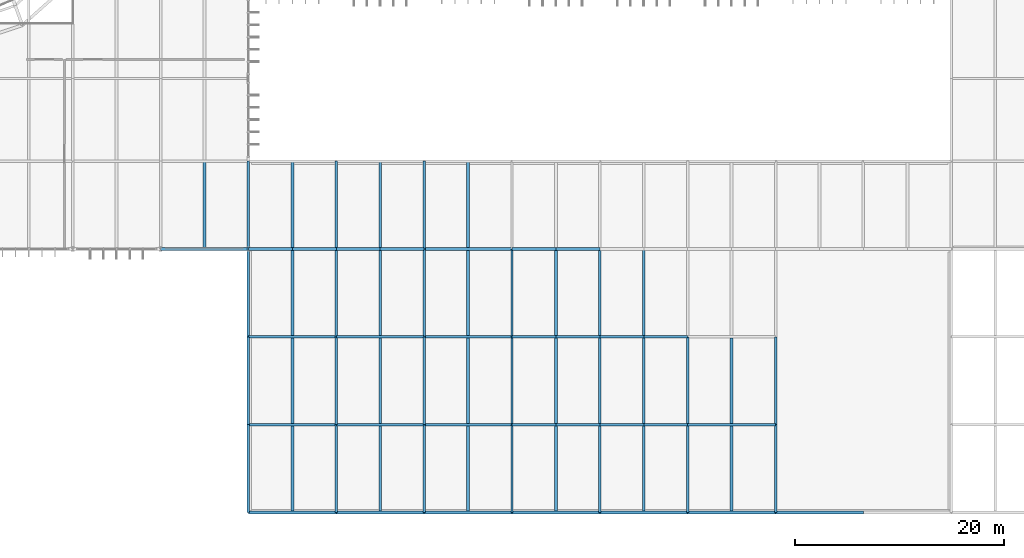
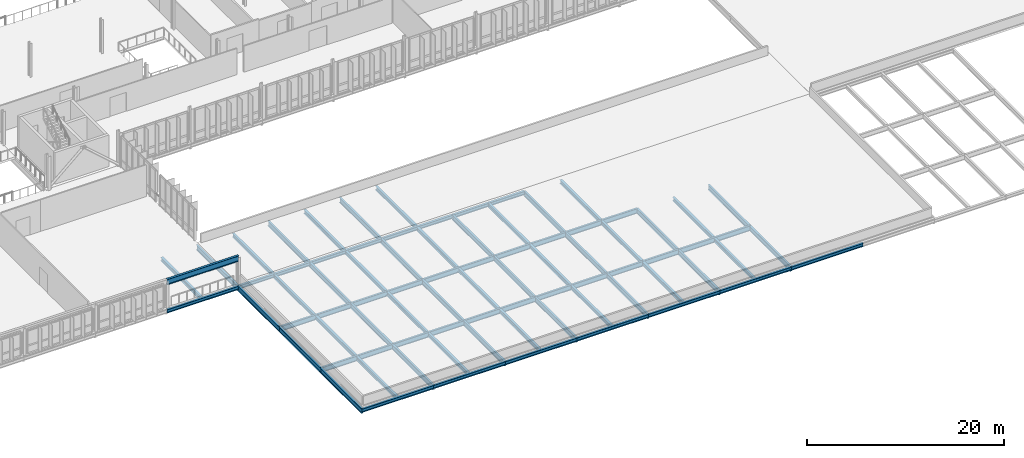
# One storey, part 26 of 107: 74 beams.
"""IFC4 building model written with IfcOpenShell, lengths in metres."""

from ifc_helpers import new_model, si_unit, derived_unit, direction, frame, origin, origin_2d, place, context, subcontext, project, spatial, i_section, extrude, material, material_profile, profile_set, type_object, element, save


model = new_model("IFC4")

# Units and contexts
model_context = context("Model", 3, precision=1e-05, world=origin(), true_north=direction((0.0, 1.0)))
body_context = subcontext(model_context, "Body", "Model", "MODEL_VIEW")
ifc_project = project(units=[si_unit("LENGTHUNIT", "METRE"), si_unit("AREAUNIT", "SQUARE_METRE"), si_unit("VOLUMEUNIT", "CUBIC_METRE"), si_unit("PLANEANGLEUNIT", "RADIAN"), si_unit("MASSUNIT", "GRAM", prefix="KILO"), derived_unit("THERMALTRANSMITTANCEUNIT", [(si_unit("MASSUNIT", "GRAM", prefix="KILO"), 1), (si_unit("TIMEUNIT", "SECOND"), -3), (si_unit("THERMODYNAMICTEMPERATUREUNIT", "KELVIN"), -1)])], contexts=[model_context])

# Site, building, storey
site_placement = place(None, origin())
site = spatial("IfcSite", under=ifc_project, at=site_placement, CompositionType="ELEMENT")
building_placement = place(site_placement, origin())
building = spatial("IfcBuilding", under=site, at=building_placement, Name="Makaiwela Harbour Ferry Terminal", CompositionType="ELEMENT")
storey_placement = place(building_placement, frame((0.0, 0.0, 9.60009765625)))
storey = spatial("IfcBuildingStorey", under=building, at=storey_placement, Name="L02", CompositionType="ELEMENT", Elevation=9.60009765625)

# Beams
ifc_material = material(Name="Steel ASTM A992 Grade 50", Category="steel")
ifc_material_profile_1 = material_profile(ifc_material, i_section(OverallWidth=0.280029296875, OverallDepth=0.462890625, WebThickness=0.0107421875, FlangeThickness=0.017333984375, at=origin_2d()), Name="W18X76")
ifc_profile_set_1 = profile_set([ifc_material_profile_1], Name="Steel ASTM A992 Grade 50")
beam_type_1 = type_object("IfcBeamType", Name="STR-BM-W18X76", PredefinedType="BEAM", material=ifc_profile_set_1)
for number, where, z_axis, x_axis, name in (
    (1, (67.199951171875, 25.314453125, -0.49169921875), (0.0, 1.0, 0.0), (-1.0, 0.0, 0.0), "Secondary floor beam 1467"),
    (2, (75.60009765625, 0.114501953125, -0.4716796875), (0.0, 1.0, 0.0), (-1.0, 0.0, 0.0), "Secondary floor beam 1472"),
):
    element("IfcBeam", number, at=place(storey_placement, frame(where, z_axis=z_axis, x_axis=x_axis)), inside=storey, type_object=beam_type_1, Name=name, PredefinedType="BEAM", context=body_context, shape_type="SweptSolid", body=[
        extrude(i_section(OverallWidth=0.280029296875, OverallDepth=0.462890625, WebThickness=0.0107421875, FlangeThickness=0.017333984375, at=origin_2d()), origin(), (0.0, 0.0, 1.0), 8.18896484375),
    ])
beam_1_placement = place(storey_placement, frame((75.60009765625, 8.49658203125, -0.4716796875), z_axis=(0.0, 1.0, 0.0), x_axis=(-1.0, 0.0, 0.0)))
element("IfcBeam", 3, at=beam_1_placement, inside=storey, type_object=beam_type_1, Name="Secondary floor beam 1473", PredefinedType="BEAM", context=body_context, shape_type="SweptSolid", body=[
    extrude(i_section(OverallWidth=0.280029296875, OverallDepth=0.462890625, WebThickness=0.0107421875, FlangeThickness=0.017333984375, at=origin_2d()), origin(), (0.0, 0.0, 1.0), 8.20703125),
])
for number, where, z_axis, x_axis, name in (
    (4, (75.60009765625, 16.896484375, -0.4716796875), (0.0, 1.0, 0.0), (-1.0, 0.0, 0.0), "Secondary floor beam 1474"),
    (5, (75.60009765625, 25.314453125, -0.4716796875), (0.0, 1.0, 0.0), (-1.0, 0.0, 0.0), "Secondary floor beam 1475"),
    (6, (84.0, 0.114501953125, -0.4716796875), (0.0, 1.0, 0.0), (-1.0, 0.0, 0.0), "Secondary floor beam 1479"),
):
    element("IfcBeam", number, at=place(storey_placement, frame(where, z_axis=z_axis, x_axis=x_axis)), inside=storey, type_object=beam_type_1, Name=name, PredefinedType="BEAM", context=body_context, shape_type="SweptSolid", body=[
        extrude(i_section(OverallWidth=0.280029296875, OverallDepth=0.462890625, WebThickness=0.0107421875, FlangeThickness=0.017333984375, at=origin_2d()), origin(), (0.0, 0.0, 1.0), 8.18896484375),
    ])
beam_2_placement = place(storey_placement, frame((84.0, 8.49658203125, -0.4716796875), z_axis=(0.0, 1.0, 0.0), x_axis=(-1.0, 0.0, 0.0)))
element("IfcBeam", 7, at=beam_2_placement, inside=storey, type_object=beam_type_1, Name="Secondary floor beam 1480", PredefinedType="BEAM", context=body_context, shape_type="SweptSolid", body=[
    extrude(i_section(OverallWidth=0.280029296875, OverallDepth=0.462890625, WebThickness=0.0107421875, FlangeThickness=0.017333984375, at=origin_2d()), origin(), (0.0, 0.0, 1.0), 8.20703125),
])
for number, where, z_axis, x_axis, name in (
    (8, (84.0, 16.896484375, -0.4716796875), (0.0, 1.0, 0.0), (-1.0, 0.0, 0.0), "Secondary floor beam 1481"),
    (9, (84.0, 25.314453125, -0.4716796875), (0.0, 1.0, 0.0), (-1.0, 0.0, 0.0), "Secondary floor beam 1482"),
    (10, (92.39990234375, 0.114501953125, -0.4716796875), (0.0, 1.0, 0.0), (-1.0, 0.0, 0.0), "Secondary floor beam 1485"),
):
    element("IfcBeam", number, at=place(storey_placement, frame(where, z_axis=z_axis, x_axis=x_axis)), inside=storey, type_object=beam_type_1, Name=name, PredefinedType="BEAM", context=body_context, shape_type="SweptSolid", body=[
        extrude(i_section(OverallWidth=0.280029296875, OverallDepth=0.462890625, WebThickness=0.0107421875, FlangeThickness=0.017333984375, at=origin_2d()), origin(), (0.0, 0.0, 1.0), 8.18896484375),
    ])
beam_3_placement = place(storey_placement, frame((92.39990234375, 8.49658203125, -0.4716796875), z_axis=(0.0, 1.0, 0.0), x_axis=(-1.0, 0.0, 0.0)))
element("IfcBeam", 11, at=beam_3_placement, inside=storey, type_object=beam_type_1, Name="Secondary floor beam 1486", PredefinedType="BEAM", context=body_context, shape_type="SweptSolid", body=[
    extrude(i_section(OverallWidth=0.280029296875, OverallDepth=0.462890625, WebThickness=0.0107421875, FlangeThickness=0.017333984375, at=origin_2d()), origin(), (0.0, 0.0, 1.0), 8.20703125),
])
for number, where, z_axis, x_axis, name in (
    (12, (92.39990234375, 16.896484375, -0.4716796875), (0.0, 1.0, 0.0), (-1.0, 0.0, 0.0), "Secondary floor beam 1487"),
    (13, (92.39990234375, 25.314453125, -0.4716796875), (0.0, 1.0, 0.0), (-1.0, 0.0, 0.0), "Secondary floor beam 1488"),
    (14, (100.800048828125, 0.114501953125, -0.4716796875), (0.0, 1.0, 0.0), (-1.0, 0.0, 0.0), "Secondary floor beam 1492"),
):
    element("IfcBeam", number, at=place(storey_placement, frame(where, z_axis=z_axis, x_axis=x_axis)), inside=storey, type_object=beam_type_1, Name=name, PredefinedType="BEAM", context=body_context, shape_type="SweptSolid", body=[
        extrude(i_section(OverallWidth=0.280029296875, OverallDepth=0.462890625, WebThickness=0.0107421875, FlangeThickness=0.017333984375, at=origin_2d()), origin(), (0.0, 0.0, 1.0), 8.18896484375),
    ])
beam_4_placement = place(storey_placement, frame((100.800048828125, 8.49658203125, -0.4716796875), z_axis=(0.0, 1.0, 0.0), x_axis=(-1.0, 0.0, 0.0)))
element("IfcBeam", 15, at=beam_4_placement, inside=storey, type_object=beam_type_1, Name="Secondary floor beam 1493", PredefinedType="BEAM", context=body_context, shape_type="SweptSolid", body=[
    extrude(i_section(OverallWidth=0.280029296875, OverallDepth=0.462890625, WebThickness=0.0107421875, FlangeThickness=0.017333984375, at=origin_2d()), origin(), (0.0, 0.0, 1.0), 8.20703125),
])
for number, where, z_axis, x_axis, name in (
    (16, (100.800048828125, 16.896484375, -0.4716796875), (0.0, 1.0, 0.0), (-1.0, 0.0, 0.0), "Secondary floor beam 1494"),
    (17, (109.199951171875, 0.114501953125, -0.4716796875), (0.0, 1.0, 0.0), (-1.0, 0.0, 0.0), "Secondary floor beam 1499"),
):
    element("IfcBeam", number, at=place(storey_placement, frame(where, z_axis=z_axis, x_axis=x_axis)), inside=storey, type_object=beam_type_1, Name=name, PredefinedType="BEAM", context=body_context, shape_type="SweptSolid", body=[
        extrude(i_section(OverallWidth=0.280029296875, OverallDepth=0.462890625, WebThickness=0.0107421875, FlangeThickness=0.017333984375, at=origin_2d()), origin(), (0.0, 0.0, 1.0), 8.18896484375),
    ])
beam_5_placement = place(storey_placement, frame((109.199951171875, 8.49658203125, -0.4716796875), z_axis=(0.0, 1.0, 0.0), x_axis=(-1.0, 0.0, 0.0)))
element("IfcBeam", 18, at=beam_5_placement, inside=storey, type_object=beam_type_1, Name="Secondary floor beam 1500", PredefinedType="BEAM", context=body_context, shape_type="SweptSolid", body=[
    extrude(i_section(OverallWidth=0.280029296875, OverallDepth=0.462890625, WebThickness=0.0107421875, FlangeThickness=0.017333984375, at=origin_2d()), origin(), (0.0, 0.0, 1.0), 8.20703125),
])
for number, where, z_axis, x_axis, name in (
    (19, (109.199951171875, 16.896484375, -0.4716796875), (0.0, 1.0, 0.0), (-1.0, 0.0, 0.0), "Secondary floor beam 1501"),
    (20, (117.60009765625, 0.114501953125, -0.4716796875), (0.0, 1.0, 0.0), (-1.0, 0.0, 0.0), "Secondary floor beam 1506"),
):
    element("IfcBeam", number, at=place(storey_placement, frame(where, z_axis=z_axis, x_axis=x_axis)), inside=storey, type_object=beam_type_1, Name=name, PredefinedType="BEAM", context=body_context, shape_type="SweptSolid", body=[
        extrude(i_section(OverallWidth=0.280029296875, OverallDepth=0.462890625, WebThickness=0.0107421875, FlangeThickness=0.017333984375, at=origin_2d()), origin(), (0.0, 0.0, 1.0), 8.18896484375),
    ])
beam_6_placement = place(storey_placement, frame((117.60009765625, 8.49658203125, -0.4716796875), z_axis=(0.0, 1.0, 0.0), x_axis=(-1.0, 0.0, 0.0)))
element("IfcBeam", 21, at=beam_6_placement, inside=storey, type_object=beam_type_1, Name="Secondary floor beam 1507", PredefinedType="BEAM", context=body_context, shape_type="SweptSolid", body=[
    extrude(i_section(OverallWidth=0.280029296875, OverallDepth=0.462890625, WebThickness=0.0107421875, FlangeThickness=0.017333984375, at=origin_2d()), origin(), (0.0, 0.0, 1.0), 8.20703125),
])
ifc_material_profile_2 = material_profile(ifc_material, i_section(OverallWidth=0.22900390625, OverallDepth=0.612060546875, WebThickness=0.011962890625, FlangeThickness=0.01953125, at=origin_2d()), Name="W24X84")
ifc_profile_set_2 = profile_set([ifc_material_profile_2], Name="Steel ASTM A992 Grade 50")
beam_type_2 = type_object("IfcBeamType", Name="STR-GRD-W24X84", PredefinedType="USERDEFINED", material=ifc_profile_set_2)
beam_7_placement = place(storey_placement, frame((71.39990234375, 8.39990234375, -0.546142578125), z_axis=(1.0, 0.0, 0.0), x_axis=(0.0, 1.0, 0.0)))
element("IfcBeam", 22, at=beam_7_placement, inside=storey, type_object=beam_type_2, Name="Primary X girder 1203", ObjectType="GIRDER", PredefinedType="USERDEFINED", context=body_context, shape_type="SweptSolid", body=[
    extrude(i_section(OverallWidth=0.22900390625, OverallDepth=0.612060546875, WebThickness=0.011962890625, FlangeThickness=0.01953125, at=origin_2d()), origin(), (0.0, 0.0, 1.0), 8.400146484375),
])
beam_8_placement = place(storey_placement, frame((79.800048828125, 8.39990234375, -0.546142578125), z_axis=(1.0, 0.0, 0.0), x_axis=(0.0, 1.0, 0.0)))
element("IfcBeam", 23, at=beam_8_placement, inside=storey, type_object=beam_type_2, Name="Primary X girder 1204", ObjectType="GIRDER", PredefinedType="USERDEFINED", context=body_context, shape_type="SweptSolid", body=[
    extrude(i_section(OverallWidth=0.22900390625, OverallDepth=0.612060546875, WebThickness=0.011962890625, FlangeThickness=0.01953125, at=origin_2d()), origin(), (0.0, 0.0, 1.0), 8.39990234375),
])
beam_9_placement = place(storey_placement, frame((88.199951171875, 8.39990234375, -0.546142578125), z_axis=(1.0, 0.0, 0.0), x_axis=(0.0, 1.0, 0.0)))
element("IfcBeam", 24, at=beam_9_placement, inside=storey, type_object=beam_type_2, Name="Primary X girder 1205", ObjectType="GIRDER", PredefinedType="USERDEFINED", context=body_context, shape_type="SweptSolid", body=[
    extrude(i_section(OverallWidth=0.22900390625, OverallDepth=0.612060546875, WebThickness=0.011962890625, FlangeThickness=0.01953125, at=origin_2d()), origin(), (0.0, 0.0, 1.0), 8.400146484375),
])
for number, where, z_axis, x_axis, name in (
    (25, (96.60009765625, 8.39990234375, -0.546142578125), (1.0, 0.0, 0.0), (0.0, 1.0, 0.0), "Primary X girder 1206"),
    (26, (100.800048828125, 8.39990234375, -0.546142578125), (1.0, 0.0, 0.0), (0.0, 1.0, 0.0), "Primary X girder 1207"),
    (27, (105.0, 8.39990234375, -0.546142578125), (1.0, 0.0, 0.0), (0.0, 1.0, 0.0), "Primary X girder 1208"),
    (28, (109.199951171875, 8.39990234375, -0.546142578125), (1.0, 0.0, 0.0), (0.0, 1.0, 0.0), "Primary X girder 1209"),
):
    element("IfcBeam", number, at=place(storey_placement, frame(where, z_axis=z_axis, x_axis=x_axis)), inside=storey, type_object=beam_type_2, Name=name, ObjectType="GIRDER", PredefinedType="USERDEFINED", context=body_context, shape_type="SweptSolid", body=[
        extrude(i_section(OverallWidth=0.22900390625, OverallDepth=0.612060546875, WebThickness=0.011962890625, FlangeThickness=0.01953125, at=origin_2d()), origin(), (0.0, 0.0, 1.0), 4.199951171875),
    ])
for number, where, z_axis, x_axis, name in (
    (29, (113.39990234375, 8.39990234375, -0.546142578125), (1.0, 0.0, 0.0), (0.0, 1.0, 0.0), "Primary X girder 1210"),
    (30, (71.39990234375, 16.800048828125, -0.546142578125), (1.0, 0.0, 0.0), (0.0, 1.0, 0.0), "Primary X girder 1213"),
):
    element("IfcBeam", number, at=place(storey_placement, frame(where, z_axis=z_axis, x_axis=x_axis)), inside=storey, type_object=beam_type_2, Name=name, ObjectType="GIRDER", PredefinedType="USERDEFINED", context=body_context, shape_type="SweptSolid", body=[
        extrude(i_section(OverallWidth=0.22900390625, OverallDepth=0.612060546875, WebThickness=0.011962890625, FlangeThickness=0.01953125, at=origin_2d()), origin(), (0.0, 0.0, 1.0), 8.400146484375),
    ])
beam_10_placement = place(storey_placement, frame((79.800048828125, 16.800048828125, -0.546142578125), z_axis=(1.0, 0.0, 0.0), x_axis=(0.0, 1.0, 0.0)))
element("IfcBeam", 31, at=beam_10_placement, inside=storey, type_object=beam_type_2, Name="Primary X girder 1214", ObjectType="GIRDER", PredefinedType="USERDEFINED", context=body_context, shape_type="SweptSolid", body=[
    extrude(i_section(OverallWidth=0.22900390625, OverallDepth=0.612060546875, WebThickness=0.011962890625, FlangeThickness=0.01953125, at=origin_2d()), origin(), (0.0, 0.0, 1.0), 8.39990234375),
])
beam_11_placement = place(storey_placement, frame((88.199951171875, 16.800048828125, -0.546142578125), z_axis=(1.0, 0.0, 0.0), x_axis=(0.0, 1.0, 0.0)))
element("IfcBeam", 32, at=beam_11_placement, inside=storey, type_object=beam_type_2, Name="Primary X girder 1215", ObjectType="GIRDER", PredefinedType="USERDEFINED", context=body_context, shape_type="SweptSolid", body=[
    extrude(i_section(OverallWidth=0.22900390625, OverallDepth=0.612060546875, WebThickness=0.011962890625, FlangeThickness=0.01953125, at=origin_2d()), origin(), (0.0, 0.0, 1.0), 8.400146484375),
])
for number, where, z_axis, x_axis, name in (
    (33, (96.60009765625, 16.800048828125, -0.546142578125), (1.0, 0.0, 0.0), (0.0, 1.0, 0.0), "Primary X girder 1216"),
    (34, (100.800048828125, 16.800048828125, -0.546142578125), (1.0, 0.0, 0.0), (0.0, 1.0, 0.0), "Primary X girder 1217"),
    (35, (105.0, 16.800048828125, -0.546142578125), (1.0, 0.0, 0.0), (0.0, 1.0, 0.0), "Primary X girder 1218"),
    (36, (109.199951171875, 16.800048828125, -0.546142578125), (1.0, 0.0, 0.0), (0.0, 1.0, 0.0), "Primary X girder 1219"),
):
    element("IfcBeam", number, at=place(storey_placement, frame(where, z_axis=z_axis, x_axis=x_axis)), inside=storey, type_object=beam_type_2, Name=name, ObjectType="GIRDER", PredefinedType="USERDEFINED", context=body_context, shape_type="SweptSolid", body=[
        extrude(i_section(OverallWidth=0.22900390625, OverallDepth=0.612060546875, WebThickness=0.011962890625, FlangeThickness=0.01953125, at=origin_2d()), origin(), (0.0, 0.0, 1.0), 4.199951171875),
    ])
beam_12_placement = place(storey_placement, frame((71.39990234375, 0.0, -0.546142578125), z_axis=(0.0, 1.0, 0.0), x_axis=(-1.0, 0.0, 0.0)))
element("IfcBeam", 37, at=beam_12_placement, inside=storey, type_object=beam_type_2, Name="Primary Y girder 1364", ObjectType="GIRDER", PredefinedType="USERDEFINED", context=body_context, shape_type="SweptSolid", body=[
    extrude(i_section(OverallWidth=0.22900390625, OverallDepth=0.612060546875, WebThickness=0.011962890625, FlangeThickness=0.01953125, at=origin_2d()), origin(), (0.0, 0.0, 1.0), 8.39990234375),
])
beam_13_placement = place(storey_placement, frame((71.39990234375, 8.39990234375, -0.546142578125), z_axis=(0.0, 1.0, 0.0), x_axis=(-1.0, 0.0, 0.0)))
element("IfcBeam", 38, at=beam_13_placement, inside=storey, type_object=beam_type_2, Name="Primary Y girder 1365", ObjectType="GIRDER", PredefinedType="USERDEFINED", context=body_context, shape_type="SweptSolid", body=[
    extrude(i_section(OverallWidth=0.22900390625, OverallDepth=0.612060546875, WebThickness=0.011962890625, FlangeThickness=0.01953125, at=origin_2d()), origin(), (0.0, 0.0, 1.0), 8.400146484375),
])
beam_14_placement = place(storey_placement, frame((71.39990234375, 16.800048828125, -0.546142578125), z_axis=(0.0, 1.0, 0.0), x_axis=(-1.0, 0.0, 0.0)))
element("IfcBeam", 39, at=beam_14_placement, inside=storey, type_object=beam_type_2, Name="Primary Y girder 1366", ObjectType="GIRDER", PredefinedType="USERDEFINED", context=body_context, shape_type="SweptSolid", body=[
    extrude(i_section(OverallWidth=0.22900390625, OverallDepth=0.612060546875, WebThickness=0.011962890625, FlangeThickness=0.01953125, at=origin_2d()), origin(), (0.0, 0.0, 1.0), 8.39990234375),
])
beam_15_placement = place(storey_placement, frame((71.39990234375, 25.199951171875, -0.566162109375), z_axis=(0.0, 1.0, 0.0), x_axis=(-1.0, 0.0, 0.0)))
element("IfcBeam", 40, at=beam_15_placement, inside=storey, type_object=beam_type_2, Name="Primary Y girder 1367", ObjectType="GIRDER", PredefinedType="USERDEFINED", context=body_context, shape_type="SweptSolid", body=[
    extrude(i_section(OverallWidth=0.22900390625, OverallDepth=0.612060546875, WebThickness=0.011962890625, FlangeThickness=0.01953125, at=origin_2d()), origin(), (0.0, 0.0, 1.0), 8.400146484375),
])
beam_16_placement = place(storey_placement, frame((79.800048828125, 0.0, -0.546142578125), z_axis=(0.0, 1.0, 0.0), x_axis=(-1.0, 0.0, 0.0)))
element("IfcBeam", 41, at=beam_16_placement, inside=storey, type_object=beam_type_2, Name="Primary Y girder 1373", ObjectType="GIRDER", PredefinedType="USERDEFINED", context=body_context, shape_type="SweptSolid", body=[
    extrude(i_section(OverallWidth=0.22900390625, OverallDepth=0.612060546875, WebThickness=0.011962890625, FlangeThickness=0.01953125, at=origin_2d()), origin(), (0.0, 0.0, 1.0), 8.39990234375),
])
beam_17_placement = place(storey_placement, frame((79.800048828125, 8.39990234375, -0.546142578125), z_axis=(0.0, 1.0, 0.0), x_axis=(-1.0, 0.0, 0.0)))
element("IfcBeam", 42, at=beam_17_placement, inside=storey, type_object=beam_type_2, Name="Primary Y girder 1374", ObjectType="GIRDER", PredefinedType="USERDEFINED", context=body_context, shape_type="SweptSolid", body=[
    extrude(i_section(OverallWidth=0.22900390625, OverallDepth=0.612060546875, WebThickness=0.011962890625, FlangeThickness=0.01953125, at=origin_2d()), origin(), (0.0, 0.0, 1.0), 8.400146484375),
])
beam_18_placement = place(storey_placement, frame((79.800048828125, 16.800048828125, -0.546142578125), z_axis=(0.0, 1.0, 0.0), x_axis=(-1.0, 0.0, 0.0)))
element("IfcBeam", 43, at=beam_18_placement, inside=storey, type_object=beam_type_2, Name="Primary Y girder 1375", ObjectType="GIRDER", PredefinedType="USERDEFINED", context=body_context, shape_type="SweptSolid", body=[
    extrude(i_section(OverallWidth=0.22900390625, OverallDepth=0.612060546875, WebThickness=0.011962890625, FlangeThickness=0.01953125, at=origin_2d()), origin(), (0.0, 0.0, 1.0), 8.39990234375),
])
beam_19_placement = place(storey_placement, frame((79.800048828125, 25.199951171875, -0.546142578125), z_axis=(0.0, 1.0, 0.0), x_axis=(-1.0, 0.0, 0.0)))
element("IfcBeam", 44, at=beam_19_placement, inside=storey, type_object=beam_type_2, Name="Primary Y girder 1376", ObjectType="GIRDER", PredefinedType="USERDEFINED", context=body_context, shape_type="SweptSolid", body=[
    extrude(i_section(OverallWidth=0.22900390625, OverallDepth=0.612060546875, WebThickness=0.011962890625, FlangeThickness=0.01953125, at=origin_2d()), origin(), (0.0, 0.0, 1.0), 8.400146484375),
])
beam_20_placement = place(storey_placement, frame((88.199951171875, 0.0, -0.546142578125), z_axis=(0.0, 1.0, 0.0), x_axis=(-1.0, 0.0, 0.0)))
element("IfcBeam", 45, at=beam_20_placement, inside=storey, type_object=beam_type_2, Name="Primary Y girder 1380", ObjectType="GIRDER", PredefinedType="USERDEFINED", context=body_context, shape_type="SweptSolid", body=[
    extrude(i_section(OverallWidth=0.22900390625, OverallDepth=0.612060546875, WebThickness=0.011962890625, FlangeThickness=0.01953125, at=origin_2d()), origin(), (0.0, 0.0, 1.0), 8.39990234375),
])
beam_21_placement = place(storey_placement, frame((88.199951171875, 8.39990234375, -0.546142578125), z_axis=(0.0, 1.0, 0.0), x_axis=(-1.0, 0.0, 0.0)))
element("IfcBeam", 46, at=beam_21_placement, inside=storey, type_object=beam_type_2, Name="Primary Y girder 1381", ObjectType="GIRDER", PredefinedType="USERDEFINED", context=body_context, shape_type="SweptSolid", body=[
    extrude(i_section(OverallWidth=0.22900390625, OverallDepth=0.612060546875, WebThickness=0.011962890625, FlangeThickness=0.01953125, at=origin_2d()), origin(), (0.0, 0.0, 1.0), 8.400146484375),
])
beam_22_placement = place(storey_placement, frame((88.199951171875, 16.800048828125, -0.546142578125), z_axis=(0.0, 1.0, 0.0), x_axis=(-1.0, 0.0, 0.0)))
element("IfcBeam", 47, at=beam_22_placement, inside=storey, type_object=beam_type_2, Name="Primary Y girder 1382", ObjectType="GIRDER", PredefinedType="USERDEFINED", context=body_context, shape_type="SweptSolid", body=[
    extrude(i_section(OverallWidth=0.22900390625, OverallDepth=0.612060546875, WebThickness=0.011962890625, FlangeThickness=0.01953125, at=origin_2d()), origin(), (0.0, 0.0, 1.0), 8.39990234375),
])
beam_23_placement = place(storey_placement, frame((88.199951171875, 25.199951171875, -0.546142578125), z_axis=(0.0, 1.0, 0.0), x_axis=(-1.0, 0.0, 0.0)))
element("IfcBeam", 48, at=beam_23_placement, inside=storey, type_object=beam_type_2, Name="Primary Y girder 1383", ObjectType="GIRDER", PredefinedType="USERDEFINED", context=body_context, shape_type="SweptSolid", body=[
    extrude(i_section(OverallWidth=0.22900390625, OverallDepth=0.612060546875, WebThickness=0.011962890625, FlangeThickness=0.01953125, at=origin_2d()), origin(), (0.0, 0.0, 1.0), 8.400146484375),
])
beam_24_placement = place(storey_placement, frame((96.60009765625, 0.0, -0.546142578125), z_axis=(0.0, 1.0, 0.0), x_axis=(-1.0, 0.0, 0.0)))
element("IfcBeam", 49, at=beam_24_placement, inside=storey, type_object=beam_type_2, Name="Primary Y girder 1387", ObjectType="GIRDER", PredefinedType="USERDEFINED", context=body_context, shape_type="SweptSolid", body=[
    extrude(i_section(OverallWidth=0.22900390625, OverallDepth=0.612060546875, WebThickness=0.011962890625, FlangeThickness=0.01953125, at=origin_2d()), origin(), (0.0, 0.0, 1.0), 8.39990234375),
])
beam_25_placement = place(storey_placement, frame((96.60009765625, 8.39990234375, -0.546142578125), z_axis=(0.0, 1.0, 0.0), x_axis=(-1.0, 0.0, 0.0)))
element("IfcBeam", 50, at=beam_25_placement, inside=storey, type_object=beam_type_2, Name="Primary Y girder 1388", ObjectType="GIRDER", PredefinedType="USERDEFINED", context=body_context, shape_type="SweptSolid", body=[
    extrude(i_section(OverallWidth=0.22900390625, OverallDepth=0.612060546875, WebThickness=0.011962890625, FlangeThickness=0.01953125, at=origin_2d()), origin(), (0.0, 0.0, 1.0), 8.400146484375),
])
for number, where, z_axis, x_axis, name in (
    (51, (96.60009765625, 16.800048828125, -0.546142578125), (0.0, 1.0, 0.0), (-1.0, 0.0, 0.0), "Primary Y girder 1389"),
    (52, (105.0, 0.0, -0.546142578125), (0.0, 1.0, 0.0), (-1.0, 0.0, 0.0), "Primary Y girder 1394"),
):
    element("IfcBeam", number, at=place(storey_placement, frame(where, z_axis=z_axis, x_axis=x_axis)), inside=storey, type_object=beam_type_2, Name=name, ObjectType="GIRDER", PredefinedType="USERDEFINED", context=body_context, shape_type="SweptSolid", body=[
        extrude(i_section(OverallWidth=0.22900390625, OverallDepth=0.612060546875, WebThickness=0.011962890625, FlangeThickness=0.01953125, at=origin_2d()), origin(), (0.0, 0.0, 1.0), 8.39990234375),
    ])
beam_26_placement = place(storey_placement, frame((105.0, 8.39990234375, -0.546142578125), z_axis=(0.0, 1.0, 0.0), x_axis=(-1.0, 0.0, 0.0)))
element("IfcBeam", 53, at=beam_26_placement, inside=storey, type_object=beam_type_2, Name="Primary Y girder 1395", ObjectType="GIRDER", PredefinedType="USERDEFINED", context=body_context, shape_type="SweptSolid", body=[
    extrude(i_section(OverallWidth=0.22900390625, OverallDepth=0.612060546875, WebThickness=0.011962890625, FlangeThickness=0.01953125, at=origin_2d()), origin(), (0.0, 0.0, 1.0), 8.400146484375),
])
for number, where, z_axis, x_axis, name in (
    (54, (105.0, 16.800048828125, -0.546142578125), (0.0, 1.0, 0.0), (-1.0, 0.0, 0.0), "Primary Y girder 1396"),
    (55, (113.39990234375, 0.0, -0.546142578125), (0.0, 1.0, 0.0), (-1.0, 0.0, 0.0), "Primary Y girder 1401"),
):
    element("IfcBeam", number, at=place(storey_placement, frame(where, z_axis=z_axis, x_axis=x_axis)), inside=storey, type_object=beam_type_2, Name=name, ObjectType="GIRDER", PredefinedType="USERDEFINED", context=body_context, shape_type="SweptSolid", body=[
        extrude(i_section(OverallWidth=0.22900390625, OverallDepth=0.612060546875, WebThickness=0.011962890625, FlangeThickness=0.01953125, at=origin_2d()), origin(), (0.0, 0.0, 1.0), 8.39990234375),
    ])
beam_27_placement = place(storey_placement, frame((113.39990234375, 8.39990234375, -0.546142578125), z_axis=(0.0, 1.0, 0.0), x_axis=(-1.0, 0.0, 0.0)))
element("IfcBeam", 56, at=beam_27_placement, inside=storey, type_object=beam_type_2, Name="Primary Y girder 1402", ObjectType="GIRDER", PredefinedType="USERDEFINED", context=body_context, shape_type="SweptSolid", body=[
    extrude(i_section(OverallWidth=0.22900390625, OverallDepth=0.612060546875, WebThickness=0.011962890625, FlangeThickness=0.01953125, at=origin_2d()), origin(), (0.0, 0.0, 1.0), 8.400146484375),
])
beam_28_placement = place(storey_placement, frame((121.800048828125, 0.0, -0.546142578125), z_axis=(0.0, 1.0, 0.0), x_axis=(-1.0, 0.0, 0.0)))
element("IfcBeam", 57, at=beam_28_placement, inside=storey, type_object=beam_type_2, Name="Primary Y girder 1408", ObjectType="GIRDER", PredefinedType="USERDEFINED", context=body_context, shape_type="SweptSolid", body=[
    extrude(i_section(OverallWidth=0.22900390625, OverallDepth=0.612060546875, WebThickness=0.011962890625, FlangeThickness=0.01953125, at=origin_2d()), origin(), (0.0, 0.0, 1.0), 8.39990234375),
])
beam_29_placement = place(storey_placement, frame((121.800048828125, 8.39990234375, -0.546142578125), z_axis=(0.0, 1.0, 0.0), x_axis=(-1.0, 0.0, 0.0)))
element("IfcBeam", 58, at=beam_29_placement, inside=storey, type_object=beam_type_2, Name="Primary Y girder 1409", ObjectType="GIRDER", PredefinedType="USERDEFINED", context=body_context, shape_type="SweptSolid", body=[
    extrude(i_section(OverallWidth=0.22900390625, OverallDepth=0.612060546875, WebThickness=0.011962890625, FlangeThickness=0.01953125, at=origin_2d()), origin(), (0.0, 0.0, 1.0), 8.400146484375),
])
ifc_material_profile_3 = material_profile(ifc_material, i_section(OverallWidth=0.256103515625, OverallDepth=0.693115234375, WebThickness=0.014404296875, FlangeThickness=0.023681640625, at=origin_2d()), Name="W27X114")
ifc_profile_set_3 = profile_set([ifc_material_profile_3], Name="Steel ASTM A992 Grade 50")
beam_type_3 = type_object("IfcBeamType", Name="STR-GRD-W27X114", PredefinedType="USERDEFINED", material=ifc_profile_set_3)
beam_30_placement = place(storey_placement, frame((63.0, 25.199951171875, 3.14990234375), z_axis=(1.0, 0.0, 0.0), x_axis=(0.0, 1.0, 0.0)))
element("IfcBeam", 59, at=beam_30_placement, inside=storey, type_object=beam_type_3, Name="Arrivals vault springing tie girder D-5", ObjectType="GIRDER", PredefinedType="USERDEFINED", context=body_context, shape_type="SweptSolid", body=[
    extrude(i_section(OverallWidth=0.256103515625, OverallDepth=0.693115234375, WebThickness=0.014404296875, FlangeThickness=0.023681640625, at=origin_2d()), origin(), (0.0, 0.0, 1.0), 8.39990234375),
])
ifc_material_profile_4 = material_profile(ifc_material, i_section(OverallWidth=0.264892578125, OverallDepth=0.430908203125, WebThickness=0.014892578125, FlangeThickness=0.02490234375, at=origin_2d()), Name="W16X100")
ifc_profile_set_4 = profile_set([ifc_material_profile_4], Name="Steel ASTM A992 Grade 50")
beam_type_4 = type_object("IfcBeamType", Name="STR-SPN-W16X100", PredefinedType="SPANDREL", material=ifc_profile_set_4)
beam_31_placement = place(storey_placement, frame((71.39990234375, 0.0, -0.45556640625), z_axis=(1.0, 0.0, 0.0), x_axis=(0.0, 1.0, 0.0)))
element("IfcBeam", 60, at=beam_31_placement, inside=storey, type_object=beam_type_4, Name="Primary X girder 1193", PredefinedType="SPANDREL", context=body_context, shape_type="SweptSolid", body=[
    extrude(i_section(OverallWidth=0.264892578125, OverallDepth=0.430908203125, WebThickness=0.014892578125, FlangeThickness=0.02490234375, at=origin_2d()), origin(), (0.0, 0.0, 1.0), 8.400146484375),
])
beam_32_placement = place(storey_placement, frame((79.800048828125, 0.0, -0.45556640625), z_axis=(1.0, 0.0, 0.0), x_axis=(0.0, 1.0, 0.0)))
element("IfcBeam", 61, at=beam_32_placement, inside=storey, type_object=beam_type_4, Name="Primary X girder 1194", PredefinedType="SPANDREL", context=body_context, shape_type="SweptSolid", body=[
    extrude(i_section(OverallWidth=0.264892578125, OverallDepth=0.430908203125, WebThickness=0.014892578125, FlangeThickness=0.02490234375, at=origin_2d()), origin(), (0.0, 0.0, 1.0), 8.39990234375),
])
beam_33_placement = place(storey_placement, frame((88.199951171875, 0.0, -0.45556640625), z_axis=(1.0, 0.0, 0.0), x_axis=(0.0, 1.0, 0.0)))
element("IfcBeam", 62, at=beam_33_placement, inside=storey, type_object=beam_type_4, Name="Primary X girder 1195", PredefinedType="SPANDREL", context=body_context, shape_type="SweptSolid", body=[
    extrude(i_section(OverallWidth=0.264892578125, OverallDepth=0.430908203125, WebThickness=0.014892578125, FlangeThickness=0.02490234375, at=origin_2d()), origin(), (0.0, 0.0, 1.0), 8.400146484375),
])
for number, where, z_axis, x_axis, name in (
    (63, (96.60009765625, 0.0, -0.45556640625), (1.0, 0.0, 0.0), (0.0, 1.0, 0.0), "Primary X girder 1196"),
    (64, (105.0, 0.0, -0.45556640625), (1.0, 0.0, 0.0), (0.0, 1.0, 0.0), "Primary X girder 1197"),
):
    element("IfcBeam", number, at=place(storey_placement, frame(where, z_axis=z_axis, x_axis=x_axis)), inside=storey, type_object=beam_type_4, Name=name, PredefinedType="SPANDREL", context=body_context, shape_type="SweptSolid", body=[
        extrude(i_section(OverallWidth=0.264892578125, OverallDepth=0.430908203125, WebThickness=0.014892578125, FlangeThickness=0.02490234375, at=origin_2d()), origin(), (0.0, 0.0, 1.0), 8.39990234375),
    ])
beam_34_placement = place(storey_placement, frame((113.39990234375, 0.0, -0.45556640625), z_axis=(1.0, 0.0, 0.0), x_axis=(0.0, 1.0, 0.0)))
element("IfcBeam", 65, at=beam_34_placement, inside=storey, type_object=beam_type_4, Name="Primary X girder 1198", PredefinedType="SPANDREL", context=body_context, shape_type="SweptSolid", body=[
    extrude(i_section(OverallWidth=0.264892578125, OverallDepth=0.430908203125, WebThickness=0.014892578125, FlangeThickness=0.02490234375, at=origin_2d()), origin(), (0.0, 0.0, 1.0), 8.400146484375),
])
for number, where, z_axis, x_axis, name in (
    (66, (121.800048828125, 0.0, -0.45556640625), (1.0, 0.0, 0.0), (0.0, 1.0, 0.0), "Primary X girder 1199"),
    (67, (63.0, 25.199951171875, -0.4755859375), (1.0, 0.0, 0.0), (0.0, 1.0, 0.0), "Primary X girder 1227"),
):
    element("IfcBeam", number, at=place(storey_placement, frame(where, z_axis=z_axis, x_axis=x_axis)), inside=storey, type_object=beam_type_4, Name=name, PredefinedType="SPANDREL", context=body_context, shape_type="SweptSolid", body=[
        extrude(i_section(OverallWidth=0.264892578125, OverallDepth=0.430908203125, WebThickness=0.014892578125, FlangeThickness=0.02490234375, at=origin_2d()), origin(), (0.0, 0.0, 1.0), 8.39990234375),
    ])
beam_35_placement = place(storey_placement, frame((71.39990234375, 25.199951171875, -0.45556640625), z_axis=(1.0, 0.0, 0.0), x_axis=(0.0, 1.0, 0.0)))
element("IfcBeam", 68, at=beam_35_placement, inside=storey, type_object=beam_type_4, Name="Primary X girder 1228", PredefinedType="SPANDREL", context=body_context, shape_type="SweptSolid", body=[
    extrude(i_section(OverallWidth=0.264892578125, OverallDepth=0.430908203125, WebThickness=0.014892578125, FlangeThickness=0.02490234375, at=origin_2d()), origin(), (0.0, 0.0, 1.0), 4.2001953125),
])
for number, where, z_axis, x_axis, name in (
    (69, (75.60009765625, 25.199951171875, -0.45556640625), (1.0, 0.0, 0.0), (0.0, 1.0, 0.0), "Primary X girder 1229"),
    (70, (79.800048828125, 25.199951171875, -0.45556640625), (1.0, 0.0, 0.0), (0.0, 1.0, 0.0), "Primary X girder 1230"),
    (71, (84.0, 25.199951171875, -0.45556640625), (1.0, 0.0, 0.0), (0.0, 1.0, 0.0), "Primary X girder 1231"),
):
    element("IfcBeam", number, at=place(storey_placement, frame(where, z_axis=z_axis, x_axis=x_axis)), inside=storey, type_object=beam_type_4, Name=name, PredefinedType="SPANDREL", context=body_context, shape_type="SweptSolid", body=[
        extrude(i_section(OverallWidth=0.264892578125, OverallDepth=0.430908203125, WebThickness=0.014892578125, FlangeThickness=0.02490234375, at=origin_2d()), origin(), (0.0, 0.0, 1.0), 4.199951171875),
    ])
beam_36_placement = place(storey_placement, frame((88.199951171875, 25.199951171875, -0.45556640625), z_axis=(1.0, 0.0, 0.0), x_axis=(0.0, 1.0, 0.0)))
element("IfcBeam", 72, at=beam_36_placement, inside=storey, type_object=beam_type_4, Name="Primary X girder 1232", PredefinedType="SPANDREL", context=body_context, shape_type="SweptSolid", body=[
    extrude(i_section(OverallWidth=0.264892578125, OverallDepth=0.430908203125, WebThickness=0.014892578125, FlangeThickness=0.02490234375, at=origin_2d()), origin(), (0.0, 0.0, 1.0), 8.400146484375),
])
for number, where, z_axis, x_axis, name in (
    (73, (96.60009765625, 25.199951171875, -0.45556640625), (1.0, 0.0, 0.0), (0.0, 1.0, 0.0), "Primary X girder 1233"),
    (74, (100.800048828125, 25.199951171875, -0.45556640625), (1.0, 0.0, 0.0), (0.0, 1.0, 0.0), "Primary X girder 1234"),
):
    element("IfcBeam", number, at=place(storey_placement, frame(where, z_axis=z_axis, x_axis=x_axis)), inside=storey, type_object=beam_type_4, Name=name, PredefinedType="SPANDREL", context=body_context, shape_type="SweptSolid", body=[
        extrude(i_section(OverallWidth=0.264892578125, OverallDepth=0.430908203125, WebThickness=0.014892578125, FlangeThickness=0.02490234375, at=origin_2d()), origin(), (0.0, 0.0, 1.0), 4.199951171875),
    ])

save(model, "model.ifc")
